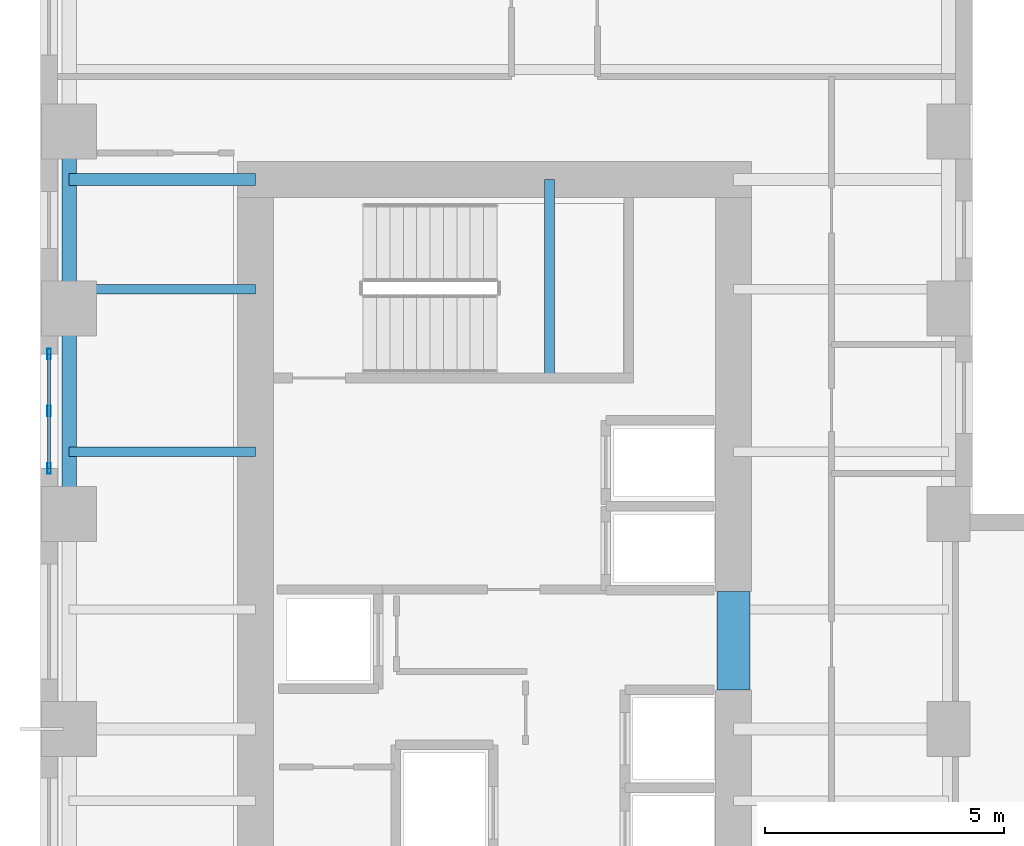
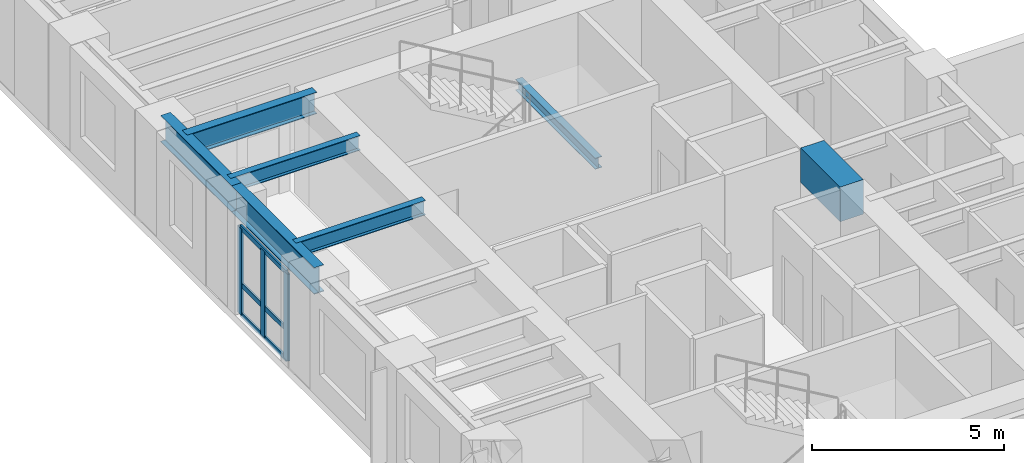
# One storey, part 2 of 13: 7 beams, 6 members, 1 element without a shape of its own.
"""IFC4 building model written with IfcOpenShell, lengths in metres."""

from ifc_helpers import new_model, si_unit, direction, frame, origin, origin_2d, place, context, subcontext, project, spatial, rectangle, hollow_rectangle, i_section, extrude, source, transform, mapped, material, layer, layer_set, material_profile, profile_set, type_object, element, aggregate, save


model = new_model("IFC4")

# Units and contexts
model_context = context("Model", 3, precision=1e-05, world=origin(), true_north=direction((0.0, 1.0)))
body_context = subcontext(model_context, "Body", "Model", "MODEL_VIEW")
ifc_project = project(units=[si_unit("LENGTHUNIT", "METRE"), si_unit("AREAUNIT", "SQUARE_METRE"), si_unit("VOLUMEUNIT", "CUBIC_METRE"), si_unit("PLANEANGLEUNIT", "RADIAN"), si_unit("MASSUNIT", "GRAM", prefix="KILO")], contexts=[model_context])

# Site, building, storey
site_placement = place(None, origin())
site = spatial("IfcSite", under=ifc_project, at=site_placement, CompositionType="ELEMENT")
building_placement = place(site_placement, origin())
building = spatial("IfcBuilding", under=site, at=building_placement, Name="Kharzan Plaza Tower", CompositionType="ELEMENT")
storey_placement = place(building_placement, frame((0.0, 0.0, 77.39990234375)))
storey = spatial("IfcBuildingStorey", under=building, at=storey_placement, Name="L20", CompositionType="ELEMENT", Elevation=77.39990234375)

# Beams
ifc_material_1 = material(Name="Concrete C60/75", Category="concrete")
ifc_material_profile_1 = material_profile(ifc_material_1, rectangle(XDim=0.699951171875, YDim=1.10009765625, at=origin_2d()), Name="RC-CB1100x700")
ifc_profile_set_1 = profile_set([ifc_material_profile_1], Name="Concrete C60/75")
beam_type_1 = type_object("IfcBeamType", Name="BM-RCCB1100", PredefinedType="LINTEL", material=ifc_profile_set_1)
shared_shape_1 = source(origin(), body_context, "Body", "SweptSolid", [
    extrude(rectangle(XDim=0.699951171875, YDim=1.10009765625, at=origin_2d()), origin(), (0.0, 0.0, 1.0), 2.059814453125),
])
beam_1_placement = place(storey_placement, frame((14.5, 18.820068359375, 2.830078125), z_axis=(0.0, 1.0, 0.0), x_axis=(-1.0, 0.0, 0.0)))
element("IfcBeam", 1, at=beam_1_placement, inside=storey, type_object=beam_type_1, Name="L20 CORE-A RC coupling beam CB1", PredefinedType="LINTEL", context=body_context, shape_type="MappedRepresentation", body=[
    mapped(shared_shape_1, transform((0.0, 0.0, 0.0), x_axis=(1.0, 0.0, 0.0), y_axis=(0.0, 1.0, 0.0), z_axis=(0.0, 0.0, 1.0))),
])
ifc_material_2 = material(Name="Steel S355", Category="steel")
ifc_material_profile_2 = material_profile(ifc_material_2, i_section(OverallWidth=0.205078125, OverallDepth=0.35400390625, WebThickness=0.009521484375, FlangeThickness=0.016845703125, at=origin_2d()), Name="W360x79")
ifc_profile_set_2 = profile_set([ifc_material_profile_2], Name="Steel S355")
beam_type_2 = type_object("IfcBeamType", Name="BM-LNT360", PredefinedType="LINTEL", material=ifc_profile_set_2)
shared_shape_2 = source(origin(), body_context, "Body", "SweptSolid", [
    extrude(i_section(OverallWidth=0.205078125, OverallDepth=0.35400390625, WebThickness=0.009521484375, FlangeThickness=0.016845703125, at=origin_2d()), origin(), (0.0, 0.0, 1.0), 4.155029296875),
])
beam_2_placement = place(storey_placement, frame((10.64990234375, 25.344970703125, 1.423095703125), z_axis=(0.0, 1.0, 0.0), x_axis=(-1.0, 0.0, 0.0)))
element("IfcBeam", 2, at=beam_2_placement, inside=storey, type_object=beam_type_2, Name="L20 Stair ST-2 Half-Landing Beam", PredefinedType="LINTEL", context=body_context, shape_type="MappedRepresentation", body=[
    mapped(shared_shape_2, transform((0.0, 0.0, 0.0), x_axis=(1.0, 0.0, 0.0), y_axis=(0.0, 1.0, 0.0), z_axis=(0.0, 0.0, 1.0))),
])
ifc_material_profile_3 = material_profile(ifc_material_2, i_section(OverallWidth=0.194091796875, OverallDepth=0.468994140625, WebThickness=0.011474609375, FlangeThickness=0.0205078125, at=origin_2d()), Name="W460x106")
ifc_profile_set_3 = profile_set([ifc_material_profile_3], Name="Steel S355")
beam_type_3 = type_object("IfcBeamType", Name="BM-JST460", PredefinedType="JOIST", material=ifc_profile_set_3)
shared_shape_3 = source(origin(), body_context, "Body", "SweptSolid", [
    extrude(i_section(OverallWidth=0.194091796875, OverallDepth=0.468994140625, WebThickness=0.011474609375, FlangeThickness=0.0205078125, at=origin_2d()), origin(), (0.0, 0.0, 1.0), 3.89990234375),
])
for number, where, z_axis, x_axis, name in (
    (3, (0.60009765625, 23.800048828125, 3.1455078125), (1.0, 0.0, 0.0), (0.0, 1.0, 0.0), "L20 Wing A West Infill Joist 5"),
    (4, (0.60009765625, 27.199951171875, 3.1455078125), (1.0, 0.0, 0.0), (0.0, 1.0, 0.0), "L20 Wing A West Infill Joist 6"),
):
    element("IfcBeam", number, at=place(storey_placement, frame(where, z_axis=z_axis, x_axis=x_axis)), inside=storey, type_object=beam_type_3, Name=name, PredefinedType="JOIST", context=body_context, shape_type="MappedRepresentation", body=[
        mapped(shared_shape_3, transform((0.0, 0.0, 0.0), x_axis=(1.0, 0.0, 0.0), y_axis=(0.0, 1.0, 0.0), z_axis=(0.0, 0.0, 1.0))),
    ])

# Curtain wall, members
ifc_material_3 = material(Name="Unitised Bronze-Anodized Aluminium and Low-E Glass", Category="aluminium")
ifc_layer = layer(ifc_material_3, 0.199951171875)
ifc_layer_set = layer_set([ifc_layer], Name="Unitised Bronze-Anodized Aluminium and Low-E Glass")
curtain_wall_type = type_object("IfcCurtainWallType", Name="CW-SKY-4", PredefinedType="NOTDEFINED", material=ifc_layer_set)
curtain_wall_placement = place(storey_placement, origin())
curtain_wall = element("IfcCurtainWall", 5, at=curtain_wall_placement, inside=storey, type_object=curtain_wall_type, Name="L20 Sky-Lobby and Transfer Zone Feature Curtain Wall", PredefinedType="NOTDEFINED")
ifc_material_4 = material(Name="Anodized Bronze Aluminium", Category="aluminium")
ifc_material_profile_4 = material_profile(ifc_material_4, hollow_rectangle(XDim=0.06005859375, YDim=0.14990234375, WallThickness=0.00341796875, at=origin_2d()), Name="ALU-T150x60x3.5")
ifc_profile_set_4 = profile_set([ifc_material_profile_4], Name="Anodized Bronze Aluminium")
member_type_1 = type_object("IfcMemberType", Name="MEM-CW-TRN150", PredefinedType="USERDEFINED", material=ifc_profile_set_4)
shared_shape_4 = source(origin(), body_context, "Body", "SweptSolid", [
    extrude(hollow_rectangle(XDim=0.06005859375, YDim=0.14990234375, WallThickness=0.00341796875, at=origin_2d()), origin(), (0.0, 0.0, 1.0), 2.400146484375),
])
member_1_placement = place(storey_placement, frame((0.179931640625, 23.449951171875, 0.0), z_axis=(0.0, 1.0, 0.0), x_axis=(-1.0, 0.0, 0.0)))
member_1 = element("IfcMember", 6, at=member_1_placement, type_object=member_type_1, Name="L20 Curtain-Wall Transom 1", ObjectType="TRANSOM", PredefinedType="USERDEFINED", context=body_context, shape_type="MappedRepresentation", body=[
    mapped(shared_shape_4, transform((0.0, 0.0, 0.0), x_axis=(1.0, 0.0, 0.0), y_axis=(0.0, 1.0, 0.0), z_axis=(0.0, 0.0, 1.0))),
])
member_2_placement = place(storey_placement, frame((0.179931640625, 23.449951171875, 0.9501953125), z_axis=(0.0, 1.0, 0.0), x_axis=(-1.0, 0.0, 0.0)))
member_2 = element("IfcMember", 7, at=member_2_placement, type_object=member_type_1, Name="L20 Curtain-Wall Transom 2", ObjectType="TRANSOM", PredefinedType="USERDEFINED", context=body_context, shape_type="MappedRepresentation", body=[
    mapped(shared_shape_4, transform((0.0, 0.0, 0.0), x_axis=(1.0, 0.0, 0.0), y_axis=(0.0, 1.0, 0.0), z_axis=(0.0, 0.0, 1.0))),
])
member_3_placement = place(storey_placement, frame((0.179931640625, 23.449951171875, 2.75), z_axis=(0.0, 1.0, 0.0), x_axis=(-1.0, 0.0, 0.0)))
member_3 = element("IfcMember", 8, at=member_3_placement, type_object=member_type_1, Name="L20 Curtain-Wall Transom 3", ObjectType="TRANSOM", PredefinedType="USERDEFINED", context=body_context, shape_type="MappedRepresentation", body=[
    mapped(shared_shape_4, transform((0.0, 0.0, 0.0), x_axis=(1.0, 0.0, 0.0), y_axis=(0.0, 1.0, 0.0), z_axis=(0.0, 0.0, 1.0))),
])
ifc_material_profile_5 = material_profile(ifc_material_4, hollow_rectangle(XDim=0.074951171875, YDim=0.219970703125, WallThickness=0.00390625, at=origin_2d()), Name="ALU-M220x75x4")
ifc_profile_set_5 = profile_set([ifc_material_profile_5], Name="Anodized Bronze Aluminium")
member_type_2 = type_object("IfcMemberType", Name="MEM-CW-MUL200", PredefinedType="MULLION", material=ifc_profile_set_5)
shared_shape_5 = source(origin(), body_context, "Body", "SweptSolid", [
    extrude(hollow_rectangle(XDim=0.074951171875, YDim=0.219970703125, WallThickness=0.00390625, at=origin_2d()), origin(), (0.0, 0.0, 1.0), 2.75),
])
member_4_placement = place(storey_placement, frame((0.179931640625, 23.449951171875, 0.0), z_axis=(0.0, 0.0, 1.0), x_axis=(1.0, 0.0, 0.0)))
member_4 = element("IfcMember", 9, at=member_4_placement, type_object=member_type_2, Name="L20 Curtain-Wall Mullion 00", PredefinedType="MULLION", context=body_context, shape_type="MappedRepresentation", body=[
    mapped(shared_shape_5, transform((0.0, 0.0, 0.0), x_axis=(1.0, 0.0, 0.0), y_axis=(0.0, 1.0, 0.0), z_axis=(0.0, 0.0, 1.0))),
])
member_5_placement = place(storey_placement, frame((0.179931640625, 24.64990234375, 0.0), z_axis=(0.0, 0.0, 1.0), x_axis=(1.0, 0.0, 0.0)))
member_5 = element("IfcMember", 10, at=member_5_placement, type_object=member_type_2, Name="L20 Curtain-Wall Mullion 01", PredefinedType="MULLION", context=body_context, shape_type="MappedRepresentation", body=[
    mapped(shared_shape_5, transform((0.0, 0.0, 0.0), x_axis=(1.0, 0.0, 0.0), y_axis=(0.0, 1.0, 0.0), z_axis=(0.0, 0.0, 1.0))),
])
member_6_placement = place(storey_placement, frame((0.179931640625, 25.85009765625, 0.0), z_axis=(0.0, 0.0, 1.0), x_axis=(1.0, 0.0, 0.0)))
member_6 = element("IfcMember", 11, at=member_6_placement, type_object=member_type_2, Name="L20 Curtain-Wall Mullion 02", PredefinedType="MULLION", context=body_context, shape_type="MappedRepresentation", body=[
    mapped(shared_shape_5, transform((0.0, 0.0, 0.0), x_axis=(1.0, 0.0, 0.0), y_axis=(0.0, 1.0, 0.0), z_axis=(0.0, 0.0, 1.0))),
])
aggregate(curtain_wall, [member_4, member_5, member_6, member_1, member_2, member_3])

# Beams
ifc_material_profile_6 = material_profile(ifc_material_2, i_section(OverallWidth=0.25390625, OverallDepth=0.68798828125, WebThickness=0.01318359375, FlangeThickness=0.02099609375, at=origin_2d()), Name="W690x152")
ifc_profile_set_6 = profile_set([ifc_material_profile_6], Name="Steel S355")
beam_type_4 = type_object("IfcBeamType", Name="BM-FG690B", PredefinedType="BEAM", material=ifc_profile_set_6)
shared_shape_6 = source(origin(), body_context, "Body", "SweptSolid", [
    extrude(i_section(OverallWidth=0.25390625, OverallDepth=0.68798828125, WebThickness=0.01318359375, FlangeThickness=0.02099609375, at=origin_2d()), origin(), (0.0, 0.0, 1.0), 3.89990234375),
])
beam_3_placement = place(storey_placement, frame((0.60009765625, 29.5, 3.0361328125), z_axis=(1.0, 0.0, 0.0), x_axis=(0.0, 1.0, 0.0)))
element("IfcBeam", 12, at=beam_3_placement, inside=storey, type_object=beam_type_4, Name="L20 Core-A West Floor Girder 3", PredefinedType="BEAM", context=body_context, shape_type="MappedRepresentation", body=[
    mapped(shared_shape_6, transform((0.0, 0.0, 0.0), x_axis=(1.0, 0.0, 0.0), y_axis=(0.0, 1.0, 0.0), z_axis=(0.0, 0.0, 1.0))),
])
ifc_material_profile_7 = material_profile(ifc_material_2, i_section(OverallWidth=0.299072265625, OverallDepth=0.845947265625, WebThickness=0.015380859375, FlangeThickness=0.0244140625, at=origin_2d()), Name="W840x210")
ifc_profile_set_7 = profile_set([ifc_material_profile_7], Name="Steel S355")
beam_type_5 = type_object("IfcBeamType", Name="BM-SP840B", PredefinedType="SPANDREL", material=ifc_profile_set_7)
shared_shape_7 = source(origin(), body_context, "Body", "SweptSolid", [
    extrude(i_section(OverallWidth=0.299072265625, OverallDepth=0.845947265625, WebThickness=0.015380859375, FlangeThickness=0.0244140625, at=origin_2d()), origin(), (0.0, 0.0, 1.0), 4.300048828125),
])
beam_4_placement = place(storey_placement, frame((0.60009765625, 22.5, 2.95703125), z_axis=(0.0, 1.0, 0.0), x_axis=(-1.0, 0.0, 0.0)))
element("IfcBeam", 13, at=beam_4_placement, inside=storey, type_object=beam_type_5, Name="L20 Perimeter Tube Spandrel", PredefinedType="SPANDREL", context=body_context, shape_type="MappedRepresentation", body=[
    mapped(shared_shape_7, transform((0.0, 0.0, 0.0), x_axis=(1.0, 0.0, 0.0), y_axis=(0.0, 1.0, 0.0), z_axis=(0.0, 0.0, 1.0))),
])
shared_shape_8 = source(origin(), body_context, "Body", "SweptSolid", [
    extrude(i_section(OverallWidth=0.299072265625, OverallDepth=0.845947265625, WebThickness=0.015380859375, FlangeThickness=0.0244140625, at=origin_2d()), origin(), (0.0, 0.0, 1.0), 3.699951171875),
])
beam_5_placement = place(storey_placement, frame((0.60009765625, 26.800048828125, 2.95703125), z_axis=(0.0, 1.0, 0.0), x_axis=(-1.0, 0.0, 0.0)))
element("IfcBeam", 14, at=beam_5_placement, inside=storey, type_object=beam_type_5, Name="L20 Perimeter Tube Spandrel", PredefinedType="SPANDREL", context=body_context, shape_type="MappedRepresentation", body=[
    mapped(shared_shape_8, transform((0.0, 0.0, 0.0), x_axis=(1.0, 0.0, 0.0), y_axis=(0.0, 1.0, 0.0), z_axis=(0.0, 0.0, 1.0))),
])

save(model, "model.ifc")
